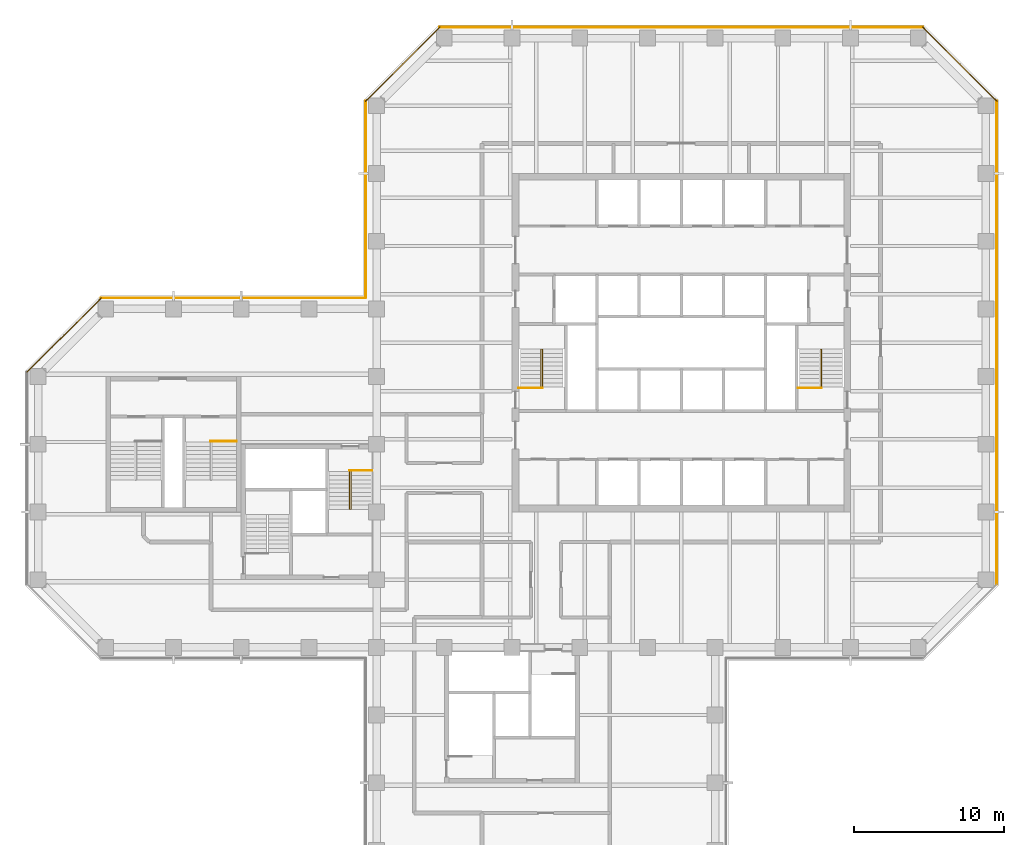
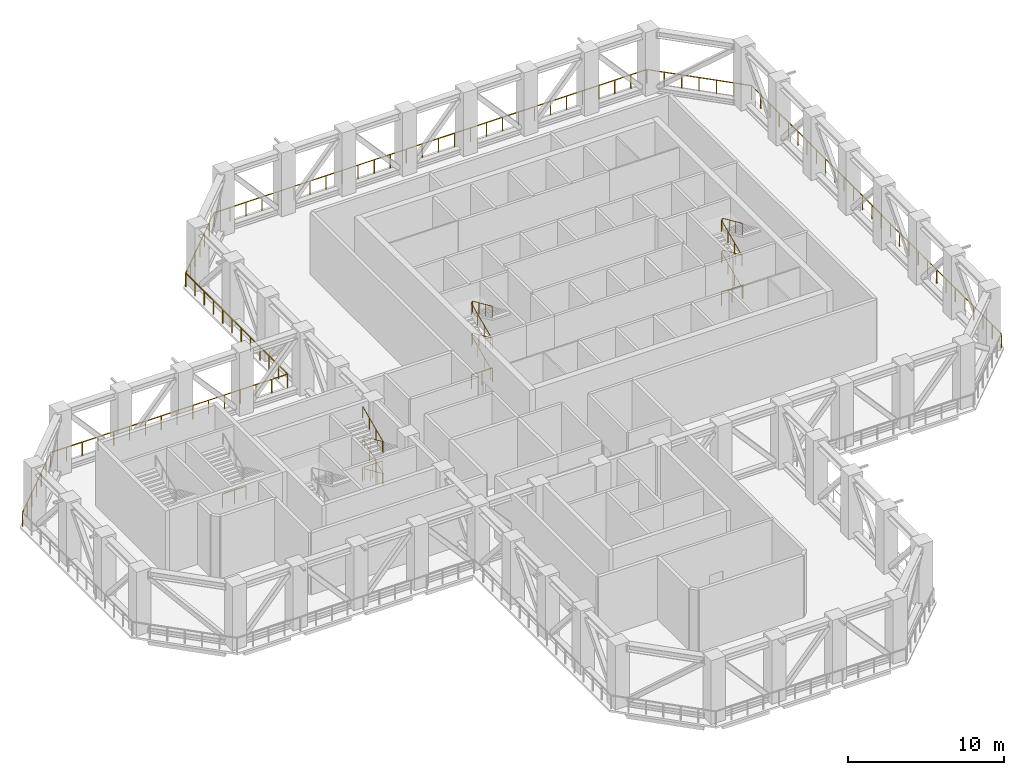
# One storey, part 14 of 14: 14 railings.
"""IFC4 building model written with IfcOpenShell, lengths in metres."""

from ifc_helpers import new_model, si_unit, direction, frame, origin, origin_2d, place, context, subcontext, project, spatial, circle, extrude, material, type_object, element, save


model = new_model("IFC4")

# Units and contexts
model_context = context("Model", 3, precision=1e-05, world=origin(), true_north=direction((0.0, 1.0)))
body_context = subcontext(model_context, "Body", "Model", "MODEL_VIEW")
ifc_project = project(units=[si_unit("LENGTHUNIT", "METRE"), si_unit("AREAUNIT", "SQUARE_METRE"), si_unit("VOLUMEUNIT", "CUBIC_METRE"), si_unit("PLANEANGLEUNIT", "RADIAN"), si_unit("MASSUNIT", "GRAM", prefix="KILO")], contexts=[model_context])

# Site, building, storey
site_placement = place(None, origin())
site = spatial("IfcSite", under=ifc_project, at=site_placement, CompositionType="ELEMENT")
building_placement = place(site_placement, origin())
building = spatial("IfcBuilding", under=site, at=building_placement, Name="Quoin Convention Tower", CompositionType="ELEMENT")
storey_placement = place(building_placement, frame((0.0, 0.0, 138.10009765625)))
storey = spatial("IfcBuildingStorey", under=building, at=storey_placement, Name="L36", CompositionType="ELEMENT", Elevation=138.10009765625)

# Railings
ifc_material = material(Name="Stainless steel", Category="steel")
railing_type_1 = type_object("IfcRailingType", Name="Guard 1100", PredefinedType="GUARDRAIL", material=ifc_material)
railing_1_placement = place(storey_placement, frame((77.22509765625, 44.69970703125, 0.0)))
element("IfcRailing", 1, at=railing_1_placement, inside=storey, type_object=railing_type_1, Name="grd-L36-76500_45000", PredefinedType="GUARDRAIL", context=body_context, shape_type="SweptSolid", body=[
    extrude(circle(Radius=0.02392578125, at=origin_2d()), frame((0.0, 0.0, 1.076171875), z_axis=(0.0, 1.0, 0.0), x_axis=(-1.0, 0.0, 0.0)), (0.0, 0.0, 1.0), 32.1005859375),
    extrude(circle(Radius=0.02099609375, at=origin_2d()), origin(), (0.0, 0.0, 1.0), 1.052001953125),
    extrude(circle(Radius=0.02099609375, at=origin_2d()), frame((0.0, 1.18896484375, 0.0)), (0.0, 0.0, 1.0), 1.052001953125),
    extrude(circle(Radius=0.02099609375, at=origin_2d()), frame((0.0, 2.3779296875, 0.0)), (0.0, 0.0, 1.0), 1.052001953125),
    extrude(circle(Radius=0.02099609375, at=origin_2d()), frame((0.0, 3.566650390625, 0.0)), (0.0, 0.0, 1.0), 1.052001953125),
    extrude(circle(Radius=0.02099609375, at=origin_2d()), frame((0.0, 4.755615234375, 0.0)), (0.0, 0.0, 1.0), 1.052001953125),
    extrude(circle(Radius=0.02099609375, at=origin_2d()), frame((0.0, 5.944580078125, 0.0)), (0.0, 0.0, 1.0), 1.052001953125),
    extrude(circle(Radius=0.02099609375, at=origin_2d()), frame((0.0, 7.133544921875, 0.0)), (0.0, 0.0, 1.0), 1.052001953125),
    extrude(circle(Radius=0.02099609375, at=origin_2d()), frame((0.0, 8.322265625, 0.0)), (0.0, 0.0, 1.0), 1.052001953125),
    extrude(circle(Radius=0.02099609375, at=origin_2d()), frame((0.0, 9.51123046875, 0.0)), (0.0, 0.0, 1.0), 1.052001953125),
    extrude(circle(Radius=0.02099609375, at=origin_2d()), frame((0.0, 10.7001953125, 0.0)), (0.0, 0.0, 1.0), 1.052001953125),
    extrude(circle(Radius=0.02099609375, at=origin_2d()), frame((0.0, 11.88916015625, 0.0)), (0.0, 0.0, 1.0), 1.052001953125),
    extrude(circle(Radius=0.02099609375, at=origin_2d()), frame((0.0, 13.078125, 0.0)), (0.0, 0.0, 1.0), 1.052001953125),
    extrude(circle(Radius=0.02099609375, at=origin_2d()), frame((0.0, 14.266845703125, 0.0)), (0.0, 0.0, 1.0), 1.052001953125),
    extrude(circle(Radius=0.02099609375, at=origin_2d()), frame((0.0, 15.455810546875, 0.0)), (0.0, 0.0, 1.0), 1.052001953125),
    extrude(circle(Radius=0.02099609375, at=origin_2d()), frame((0.0, 16.644775390625, 0.0)), (0.0, 0.0, 1.0), 1.052001953125),
    extrude(circle(Radius=0.02099609375, at=origin_2d()), frame((0.0, 17.833740234375, 0.0)), (0.0, 0.0, 1.0), 1.052001953125),
    extrude(circle(Radius=0.02099609375, at=origin_2d()), frame((0.0, 19.0224609375, 0.0)), (0.0, 0.0, 1.0), 1.052001953125),
    extrude(circle(Radius=0.02099609375, at=origin_2d()), frame((0.0, 20.21142578125, 0.0)), (0.0, 0.0, 1.0), 1.052001953125),
    extrude(circle(Radius=0.02099609375, at=origin_2d()), frame((0.0, 21.400390625, 0.0)), (0.0, 0.0, 1.0), 1.052001953125),
    extrude(circle(Radius=0.02099609375, at=origin_2d()), frame((0.0, 22.58935546875, 0.0)), (0.0, 0.0, 1.0), 1.052001953125),
    extrude(circle(Radius=0.02099609375, at=origin_2d()), frame((0.0, 23.7783203125, 0.0)), (0.0, 0.0, 1.0), 1.052001953125),
    extrude(circle(Radius=0.02099609375, at=origin_2d()), frame((0.0, 24.967041015625, 0.0)), (0.0, 0.0, 1.0), 1.052001953125),
    extrude(circle(Radius=0.02099609375, at=origin_2d()), frame((0.0, 26.156005859375, 0.0)), (0.0, 0.0, 1.0), 1.052001953125),
    extrude(circle(Radius=0.02099609375, at=origin_2d()), frame((0.0, 27.344970703125, 0.0)), (0.0, 0.0, 1.0), 1.052001953125),
    extrude(circle(Radius=0.02099609375, at=origin_2d()), frame((0.0, 28.533935546875, 0.0)), (0.0, 0.0, 1.0), 1.052001953125),
    extrude(circle(Radius=0.02099609375, at=origin_2d()), frame((0.0, 29.72265625, 0.0)), (0.0, 0.0, 1.0), 1.052001953125),
    extrude(circle(Radius=0.02099609375, at=origin_2d()), frame((0.0, 30.91162109375, 0.0)), (0.0, 0.0, 1.0), 1.052001953125),
    extrude(circle(Radius=0.02099609375, at=origin_2d()), frame((0.0, 32.1005859375, 0.0)), (0.0, 0.0, 1.0), 1.052001953125),
])
railing_2_placement = place(storey_placement, frame((77.22509765625, 76.80029296875, 0.0)))
element("IfcRailing", 2, at=railing_2_placement, inside=storey, type_object=railing_type_1, Name="grd-L36-76500_76500", PredefinedType="GUARDRAIL", context=body_context, shape_type="SweptSolid", body=[
    extrude(circle(Radius=0.02392578125, at=origin_2d()), frame((0.0, 0.0, 1.076171875), z_axis=(-0.707106781187, 0.707106781187, 0.0), x_axis=(-0.707106781187, -0.707106781187, 0.0)), (0.0, 0.0, 1.0), 6.96484375),
    extrude(circle(Radius=0.02099609375, at=origin_2d()), origin(), (0.0, 0.0, 1.0), 1.052001953125),
    extrude(circle(Radius=0.02099609375, at=origin_2d()), frame((-0.82080078125, 0.82080078125, 0.0)), (0.0, 0.0, 1.0), 1.052001953125),
    extrude(circle(Radius=0.02099609375, at=origin_2d()), frame((-1.6416015625, 1.6416015625, 0.0)), (0.0, 0.0, 1.0), 1.052001953125),
    extrude(circle(Radius=0.02099609375, at=origin_2d()), frame((-2.46240234375, 2.46240234375, 0.0)), (0.0, 0.0, 1.0), 1.052001953125),
    extrude(circle(Radius=0.02099609375, at=origin_2d()), frame((-3.283203125, 3.283203125, 0.0)), (0.0, 0.0, 1.0), 1.052001953125),
    extrude(circle(Radius=0.02099609375, at=origin_2d()), frame((-4.10400390625, 4.10400390625, 0.0)), (0.0, 0.0, 1.0), 1.052001953125),
    extrude(circle(Radius=0.02099609375, at=origin_2d()), frame((-4.9248046875, 4.9248046875, 0.0)), (0.0, 0.0, 1.0), 1.052001953125),
])
railing_3_placement = place(storey_placement, frame((72.30029296875, 81.72509765625, 0.0)))
element("IfcRailing", 3, at=railing_3_placement, inside=storey, type_object=railing_type_1, Name="grd-L36-72000_81000", PredefinedType="GUARDRAIL", context=body_context, shape_type="SweptSolid", body=[
    extrude(circle(Radius=0.02392578125, at=origin_2d()), frame((0.0, 0.0, 1.076171875), z_axis=(-1.0, 0.0, 0.0), x_axis=(0.0, -1.0, 0.0)), (0.0, 0.0, 1.0), 32.1005859375),
    extrude(circle(Radius=0.02099609375, at=origin_2d()), origin(), (0.0, 0.0, 1.0), 1.052001953125),
    extrude(circle(Radius=0.02099609375, at=origin_2d()), frame((-1.18896484375, 0.0, 0.0)), (0.0, 0.0, 1.0), 1.052001953125),
    extrude(circle(Radius=0.02099609375, at=origin_2d()), frame((-2.3779296875, 0.0, 0.0)), (0.0, 0.0, 1.0), 1.052001953125),
    extrude(circle(Radius=0.02099609375, at=origin_2d()), frame((-3.566650390625, 0.0, 0.0)), (0.0, 0.0, 1.0), 1.052001953125),
    extrude(circle(Radius=0.02099609375, at=origin_2d()), frame((-4.755615234375, 0.0, 0.0)), (0.0, 0.0, 1.0), 1.052001953125),
    extrude(circle(Radius=0.02099609375, at=origin_2d()), frame((-5.944580078125, 0.0, 0.0)), (0.0, 0.0, 1.0), 1.052001953125),
    extrude(circle(Radius=0.02099609375, at=origin_2d()), frame((-7.133544921875, 0.0, 0.0)), (0.0, 0.0, 1.0), 1.052001953125),
    extrude(circle(Radius=0.02099609375, at=origin_2d()), frame((-8.322265625, 0.0, 0.0)), (0.0, 0.0, 1.0), 1.052001953125),
    extrude(circle(Radius=0.02099609375, at=origin_2d()), frame((-9.51123046875, 0.0, 0.0)), (0.0, 0.0, 1.0), 1.052001953125),
    extrude(circle(Radius=0.02099609375, at=origin_2d()), frame((-10.7001953125, 0.0, 0.0)), (0.0, 0.0, 1.0), 1.052001953125),
    extrude(circle(Radius=0.02099609375, at=origin_2d()), frame((-11.88916015625, 0.0, 0.0)), (0.0, 0.0, 1.0), 1.052001953125),
    extrude(circle(Radius=0.02099609375, at=origin_2d()), frame((-13.078125, 0.0, 0.0)), (0.0, 0.0, 1.0), 1.052001953125),
    extrude(circle(Radius=0.02099609375, at=origin_2d()), frame((-14.266845703125, 0.0, 0.0)), (0.0, 0.0, 1.0), 1.052001953125),
    extrude(circle(Radius=0.02099609375, at=origin_2d()), frame((-15.455810546875, 0.0, 0.0)), (0.0, 0.0, 1.0), 1.052001953125),
    extrude(circle(Radius=0.02099609375, at=origin_2d()), frame((-16.644775390625, 0.0, 0.0)), (0.0, 0.0, 1.0), 1.052001953125),
    extrude(circle(Radius=0.02099609375, at=origin_2d()), frame((-17.833740234375, 0.0, 0.0)), (0.0, 0.0, 1.0), 1.052001953125),
    extrude(circle(Radius=0.02099609375, at=origin_2d()), frame((-19.0224609375, 0.0, 0.0)), (0.0, 0.0, 1.0), 1.052001953125),
    extrude(circle(Radius=0.02099609375, at=origin_2d()), frame((-20.21142578125, 0.0, 0.0)), (0.0, 0.0, 1.0), 1.052001953125),
    extrude(circle(Radius=0.02099609375, at=origin_2d()), frame((-21.400390625, 0.0, 0.0)), (0.0, 0.0, 1.0), 1.052001953125),
    extrude(circle(Radius=0.02099609375, at=origin_2d()), frame((-22.58935546875, 0.0, 0.0)), (0.0, 0.0, 1.0), 1.052001953125),
    extrude(circle(Radius=0.02099609375, at=origin_2d()), frame((-23.7783203125, 0.0, 0.0)), (0.0, 0.0, 1.0), 1.052001953125),
    extrude(circle(Radius=0.02099609375, at=origin_2d()), frame((-24.967041015625, 0.0, 0.0)), (0.0, 0.0, 1.0), 1.052001953125),
    extrude(circle(Radius=0.02099609375, at=origin_2d()), frame((-26.156005859375, 0.0, 0.0)), (0.0, 0.0, 1.0), 1.052001953125),
    extrude(circle(Radius=0.02099609375, at=origin_2d()), frame((-27.344970703125, 0.0, 0.0)), (0.0, 0.0, 1.0), 1.052001953125),
    extrude(circle(Radius=0.02099609375, at=origin_2d()), frame((-28.533935546875, 0.0, 0.0)), (0.0, 0.0, 1.0), 1.052001953125),
    extrude(circle(Radius=0.02099609375, at=origin_2d()), frame((-29.72265625, 0.0, 0.0)), (0.0, 0.0, 1.0), 1.052001953125),
    extrude(circle(Radius=0.02099609375, at=origin_2d()), frame((-30.91162109375, 0.0, 0.0)), (0.0, 0.0, 1.0), 1.052001953125),
    extrude(circle(Radius=0.02099609375, at=origin_2d()), frame((-32.1005859375, 0.0, 0.0)), (0.0, 0.0, 1.0), 1.052001953125),
])
railing_4_placement = place(storey_placement, frame((40.19970703125, 81.72509765625, 0.0)))
element("IfcRailing", 4, at=railing_4_placement, inside=storey, type_object=railing_type_1, Name="grd-L36-40500_81000", PredefinedType="GUARDRAIL", context=body_context, shape_type="SweptSolid", body=[
    extrude(circle(Radius=0.02392578125, at=origin_2d()), frame((0.0, 0.0, 1.076171875), z_axis=(-0.707106781187, -0.707106781187, 0.0), x_axis=(0.707106781187, -0.707106781187, 0.0)), (0.0, 0.0, 1.0), 6.96484375),
    extrude(circle(Radius=0.02099609375, at=origin_2d()), origin(), (0.0, 0.0, 1.0), 1.052001953125),
    extrude(circle(Radius=0.02099609375, at=origin_2d()), frame((-0.82080078125, -0.82080078125, 0.0)), (0.0, 0.0, 1.0), 1.052001953125),
    extrude(circle(Radius=0.02099609375, at=origin_2d()), frame((-1.6416015625, -1.6416015625, 0.0)), (0.0, 0.0, 1.0), 1.052001953125),
    extrude(circle(Radius=0.02099609375, at=origin_2d()), frame((-2.46240234375, -2.46240234375, 0.0)), (0.0, 0.0, 1.0), 1.052001953125),
    extrude(circle(Radius=0.02099609375, at=origin_2d()), frame((-3.283203125, -3.283203125, 0.0)), (0.0, 0.0, 1.0), 1.052001953125),
    extrude(circle(Radius=0.02099609375, at=origin_2d()), frame((-4.10400390625, -4.10400390625, 0.0)), (0.0, 0.0, 1.0), 1.052001953125),
    extrude(circle(Radius=0.02099609375, at=origin_2d()), frame((-4.9248046875, -4.9248046875, 0.0)), (0.0, 0.0, 1.0), 1.052001953125),
])
railing_5_placement = place(storey_placement, frame((35.27490234375, 76.80029296875, 0.0)))
element("IfcRailing", 5, at=railing_5_placement, inside=storey, type_object=railing_type_1, Name="grd-L36-36000_76500", PredefinedType="GUARDRAIL", context=body_context, shape_type="SweptSolid", body=[
    extrude(circle(Radius=0.02392578125, at=origin_2d()), frame((0.0, 0.0, 1.076171875), z_axis=(0.0, -1.0, 0.0), x_axis=(1.0, 0.0, 0.0)), (0.0, 0.0, 1.0), 13.0751953125),
    extrude(circle(Radius=0.02099609375, at=origin_2d()), origin(), (0.0, 0.0, 1.0), 1.052001953125),
    extrude(circle(Radius=0.02099609375, at=origin_2d()), frame((0.0, -1.188720703125, 0.0)), (0.0, 0.0, 1.0), 1.052001953125),
    extrude(circle(Radius=0.02099609375, at=origin_2d()), frame((0.0, -2.377197265625, 0.0)), (0.0, 0.0, 1.0), 1.052001953125),
    extrude(circle(Radius=0.02099609375, at=origin_2d()), frame((0.0, -3.56591796875, 0.0)), (0.0, 0.0, 1.0), 1.052001953125),
    extrude(circle(Radius=0.02099609375, at=origin_2d()), frame((0.0, -4.754638671875, 0.0)), (0.0, 0.0, 1.0), 1.052001953125),
    extrude(circle(Radius=0.02099609375, at=origin_2d()), frame((0.0, -5.943359375, 0.0)), (0.0, 0.0, 1.0), 1.052001953125),
    extrude(circle(Radius=0.02099609375, at=origin_2d()), frame((0.0, -7.1318359375, 0.0)), (0.0, 0.0, 1.0), 1.052001953125),
    extrude(circle(Radius=0.02099609375, at=origin_2d()), frame((0.0, -8.320556640625, 0.0)), (0.0, 0.0, 1.0), 1.052001953125),
    extrude(circle(Radius=0.02099609375, at=origin_2d()), frame((0.0, -9.50927734375, 0.0)), (0.0, 0.0, 1.0), 1.052001953125),
    extrude(circle(Radius=0.02099609375, at=origin_2d()), frame((0.0, -10.697998046875, 0.0)), (0.0, 0.0, 1.0), 1.052001953125),
    extrude(circle(Radius=0.02099609375, at=origin_2d()), frame((0.0, -11.886474609375, 0.0)), (0.0, 0.0, 1.0), 1.052001953125),
    extrude(circle(Radius=0.02099609375, at=origin_2d()), frame((0.0, -13.0751953125, 0.0)), (0.0, 0.0, 1.0), 1.052001953125),
])
railing_6_placement = place(storey_placement, frame((35.27490234375, 63.72509765625, 0.0)))
element("IfcRailing", 6, at=railing_6_placement, inside=storey, type_object=railing_type_1, Name="grd-L36-36000_63000", PredefinedType="GUARDRAIL", context=body_context, shape_type="SweptSolid", body=[
    extrude(circle(Radius=0.02392578125, at=origin_2d()), frame((0.0, 0.0, 1.076171875), z_axis=(-1.0, 0.0, 0.0), x_axis=(0.0, -1.0, 0.0)), (0.0, 0.0, 1.0), 17.5751953125),
    extrude(circle(Radius=0.02099609375, at=origin_2d()), origin(), (0.0, 0.0, 1.0), 1.052001953125),
    extrude(circle(Radius=0.02099609375, at=origin_2d()), frame((-1.171630859375, 0.0, 0.0)), (0.0, 0.0, 1.0), 1.052001953125),
    extrude(circle(Radius=0.02099609375, at=origin_2d()), frame((-2.34326171875, 0.0, 0.0)), (0.0, 0.0, 1.0), 1.052001953125),
    extrude(circle(Radius=0.02099609375, at=origin_2d()), frame((-3.51513671875, 0.0, 0.0)), (0.0, 0.0, 1.0), 1.052001953125),
    extrude(circle(Radius=0.02099609375, at=origin_2d()), frame((-4.686767578125, 0.0, 0.0)), (0.0, 0.0, 1.0), 1.052001953125),
    extrude(circle(Radius=0.02099609375, at=origin_2d()), frame((-5.8583984375, 0.0, 0.0)), (0.0, 0.0, 1.0), 1.052001953125),
    extrude(circle(Radius=0.02099609375, at=origin_2d()), frame((-7.030029296875, 0.0, 0.0)), (0.0, 0.0, 1.0), 1.052001953125),
    extrude(circle(Radius=0.02099609375, at=origin_2d()), frame((-8.20166015625, 0.0, 0.0)), (0.0, 0.0, 1.0), 1.052001953125),
    extrude(circle(Radius=0.02099609375, at=origin_2d()), frame((-9.37353515625, 0.0, 0.0)), (0.0, 0.0, 1.0), 1.052001953125),
    extrude(circle(Radius=0.02099609375, at=origin_2d()), frame((-10.545166015625, 0.0, 0.0)), (0.0, 0.0, 1.0), 1.052001953125),
    extrude(circle(Radius=0.02099609375, at=origin_2d()), frame((-11.716796875, 0.0, 0.0)), (0.0, 0.0, 1.0), 1.052001953125),
    extrude(circle(Radius=0.02099609375, at=origin_2d()), frame((-12.888427734375, 0.0, 0.0)), (0.0, 0.0, 1.0), 1.052001953125),
    extrude(circle(Radius=0.02099609375, at=origin_2d()), frame((-14.06005859375, 0.0, 0.0)), (0.0, 0.0, 1.0), 1.052001953125),
    extrude(circle(Radius=0.02099609375, at=origin_2d()), frame((-15.23193359375, 0.0, 0.0)), (0.0, 0.0, 1.0), 1.052001953125),
    extrude(circle(Radius=0.02099609375, at=origin_2d()), frame((-16.403564453125, 0.0, 0.0)), (0.0, 0.0, 1.0), 1.052001953125),
    extrude(circle(Radius=0.02099609375, at=origin_2d()), frame((-17.5751953125, 0.0, 0.0)), (0.0, 0.0, 1.0), 1.052001953125),
])
railing_7_placement = place(storey_placement, frame((17.69970703125, 63.72509765625, 0.0)))
element("IfcRailing", 7, at=railing_7_placement, inside=storey, type_object=railing_type_1, Name="grd-L36-18000_63000", PredefinedType="GUARDRAIL", context=body_context, shape_type="SweptSolid", body=[
    extrude(circle(Radius=0.02392578125, at=origin_2d()), frame((0.0, 0.0, 1.076171875), z_axis=(-0.707106781187, -0.707106781187, 0.0), x_axis=(0.707106781187, -0.707106781187, 0.0)), (0.0, 0.0, 1.0), 6.96484375),
    extrude(circle(Radius=0.02099609375, at=origin_2d()), origin(), (0.0, 0.0, 1.0), 1.052001953125),
    extrude(circle(Radius=0.02099609375, at=origin_2d()), frame((-0.82080078125, -0.82080078125, 0.0)), (0.0, 0.0, 1.0), 1.052001953125),
    extrude(circle(Radius=0.02099609375, at=origin_2d()), frame((-1.6416015625, -1.6416015625, 0.0)), (0.0, 0.0, 1.0), 1.052001953125),
    extrude(circle(Radius=0.02099609375, at=origin_2d()), frame((-2.46240234375, -2.46240234375, 0.0)), (0.0, 0.0, 1.0), 1.052001953125),
    extrude(circle(Radius=0.02099609375, at=origin_2d()), frame((-3.283203125, -3.283203125, 0.0)), (0.0, 0.0, 1.0), 1.052001953125),
    extrude(circle(Radius=0.02099609375, at=origin_2d()), frame((-4.10400390625, -4.10400390625, 0.0)), (0.0, 0.0, 1.0), 1.052001953125),
    extrude(circle(Radius=0.02099609375, at=origin_2d()), frame((-4.9248046875, -4.9248046875, 0.0)), (0.0, 0.0, 1.0), 1.052001953125),
])
railing_type_2 = type_object("IfcRailingType", Name="Stair handrail 900", PredefinedType="HANDRAIL", material=ifc_material)
railing_8_placement = place(storey_placement, frame((46.929931640625, 57.800048828125, 0.125)))
element("IfcRailing", 8, at=railing_8_placement, inside=storey, type_object=railing_type_2, Name="SD1 handrail 1", PredefinedType="HANDRAIL", context=body_context, shape_type="SweptSolid", body=[
    extrude(circle(Radius=0.02392578125, at=origin_2d()), frame((0.0, 0.0, 0.8759765625), z_axis=(0.0, 0.913139058521, 0.407648205936), x_axis=(-1.0, 0.0, 0.0)), (0.0, 0.0, 1.0), 2.759765625),
    extrude(circle(Radius=0.02392578125, at=origin_2d()), frame((0.0, 2.52001953125, 2.0009765625), z_axis=(0.584680334893, 0.0, 0.811263770909), x_axis=(0.0, 1.0, 0.0)), (0.0, 0.0, 1.0), 0.154052734375),
    extrude(circle(Radius=0.02392578125, at=origin_2d()), frame((0.090087890625, 2.52001953125, 2.1259765625), z_axis=(0.0, -0.913139058521, 0.407648205936), x_axis=(1.0, 0.0, 0.0)), (0.0, 0.0, 1.0), 2.759765625),
    extrude(circle(Radius=0.02392578125, at=origin_2d()), frame((0.090087890625, 0.0, 3.2509765625), z_axis=(-0.584680334893, 0.0, 0.811263770909), x_axis=(0.0, -1.0, 0.0)), (0.0, 0.0, 1.0), 0.154052734375),
    extrude(circle(Radius=0.02392578125, at=origin_2d()), frame((0.0, 0.0, 3.3759765625), z_axis=(0.0, 0.913139058521, 0.407648205936), x_axis=(-1.0, 0.0, 0.0)), (0.0, 0.0, 1.0), 2.759765625),
    extrude(circle(Radius=0.02392578125, at=origin_2d()), frame((0.0, 2.52001953125, 4.5009765625), z_axis=(0.584680334893, 0.0, 0.811263770909), x_axis=(0.0, 1.0, 0.0)), (0.0, 0.0, 1.0), 0.154052734375),
    extrude(circle(Radius=0.02392578125, at=origin_2d()), frame((0.090087890625, 2.52001953125, 4.6259765625), z_axis=(0.0, -0.913139058521, 0.407648205936), x_axis=(1.0, 0.0, 0.0)), (0.0, 0.0, 1.0), 2.759765625),
    extrude(circle(Radius=0.02099609375, at=origin_2d()), origin(), (0.0, 0.0, 1.0), 0.851806640625),
    extrude(circle(Radius=0.02099609375, at=origin_2d()), frame((0.0, 0.840087890625, 0.375)), (0.0, 0.0, 1.0), 0.851806640625),
    extrude(circle(Radius=0.02099609375, at=origin_2d()), frame((0.0, 1.679931640625, 0.75)), (0.0, 0.0, 1.0), 0.851806640625),
    extrude(circle(Radius=0.02099609375, at=origin_2d()), frame((0.0, 2.52001953125, 1.125)), (0.0, 0.0, 1.0), 0.851806640625),
    extrude(circle(Radius=0.02099609375, at=origin_2d()), frame((0.090087890625, 2.52001953125, 1.25)), (0.0, 0.0, 1.0), 0.851806640625),
    extrude(circle(Radius=0.02099609375, at=origin_2d()), frame((0.090087890625, 1.679931640625, 1.625)), (0.0, 0.0, 1.0), 0.851806640625),
    extrude(circle(Radius=0.02099609375, at=origin_2d()), frame((0.090087890625, 0.840087890625, 2.0)), (0.0, 0.0, 1.0), 0.851806640625),
    extrude(circle(Radius=0.02099609375, at=origin_2d()), frame((0.090087890625, 0.0, 2.375)), (0.0, 0.0, 1.0), 0.851806640625),
    extrude(circle(Radius=0.02099609375, at=origin_2d()), frame((0.0, 0.0, 2.5)), (0.0, 0.0, 1.0), 0.851806640625),
    extrude(circle(Radius=0.02099609375, at=origin_2d()), frame((0.0, 0.840087890625, 2.875)), (0.0, 0.0, 1.0), 0.851806640625),
    extrude(circle(Radius=0.02099609375, at=origin_2d()), frame((0.0, 1.679931640625, 3.25)), (0.0, 0.0, 1.0), 0.851806640625),
    extrude(circle(Radius=0.02099609375, at=origin_2d()), frame((0.0, 2.52001953125, 3.625)), (0.0, 0.0, 1.0), 0.851806640625),
    extrude(circle(Radius=0.02099609375, at=origin_2d()), frame((0.090087890625, 2.52001953125, 3.75)), (0.0, 0.0, 1.0), 0.851806640625),
    extrude(circle(Radius=0.02099609375, at=origin_2d()), frame((0.090087890625, 1.679931640625, 4.125)), (0.0, 0.0, 1.0), 0.851806640625),
    extrude(circle(Radius=0.02099609375, at=origin_2d()), frame((0.090087890625, 0.840087890625, 4.5)), (0.0, 0.0, 1.0), 0.851806640625),
    extrude(circle(Radius=0.02099609375, at=origin_2d()), frame((0.090087890625, 0.0, 4.875)), (0.0, 0.0, 1.0), 0.851806640625),
])
railing_9_placement = place(storey_placement, frame((65.47998046875, 57.800048828125, 0.125)))
element("IfcRailing", 9, at=railing_9_placement, inside=storey, type_object=railing_type_2, Name="SD2 handrail 1", PredefinedType="HANDRAIL", context=body_context, shape_type="SweptSolid", body=[
    extrude(circle(Radius=0.02392578125, at=origin_2d()), frame((0.0, 0.0, 0.8759765625), z_axis=(0.0, 0.913139058521, 0.407648205936), x_axis=(-1.0, 0.0, 0.0)), (0.0, 0.0, 1.0), 2.759765625),
    extrude(circle(Radius=0.02392578125, at=origin_2d()), frame((0.0, 2.52001953125, 2.0009765625), z_axis=(0.584680334893, 0.0, 0.811263770909), x_axis=(0.0, 1.0, 0.0)), (0.0, 0.0, 1.0), 0.154052734375),
    extrude(circle(Radius=0.02392578125, at=origin_2d()), frame((0.090087890625, 2.52001953125, 2.1259765625), z_axis=(0.0, -0.913139058521, 0.407648205936), x_axis=(1.0, 0.0, 0.0)), (0.0, 0.0, 1.0), 2.759765625),
    extrude(circle(Radius=0.02392578125, at=origin_2d()), frame((0.090087890625, 0.0, 3.2509765625), z_axis=(-0.584680334893, 0.0, 0.811263770909), x_axis=(0.0, -1.0, 0.0)), (0.0, 0.0, 1.0), 0.154052734375),
    extrude(circle(Radius=0.02392578125, at=origin_2d()), frame((0.0, 0.0, 3.3759765625), z_axis=(0.0, 0.913139058521, 0.407648205936), x_axis=(-1.0, 0.0, 0.0)), (0.0, 0.0, 1.0), 2.759765625),
    extrude(circle(Radius=0.02392578125, at=origin_2d()), frame((0.0, 2.52001953125, 4.5009765625), z_axis=(0.584680334893, 0.0, 0.811263770909), x_axis=(0.0, 1.0, 0.0)), (0.0, 0.0, 1.0), 0.154052734375),
    extrude(circle(Radius=0.02392578125, at=origin_2d()), frame((0.090087890625, 2.52001953125, 4.6259765625), z_axis=(0.0, -0.913139058521, 0.407648205936), x_axis=(1.0, 0.0, 0.0)), (0.0, 0.0, 1.0), 2.759765625),
    extrude(circle(Radius=0.02099609375, at=origin_2d()), origin(), (0.0, 0.0, 1.0), 0.851806640625),
    extrude(circle(Radius=0.02099609375, at=origin_2d()), frame((0.0, 0.840087890625, 0.375)), (0.0, 0.0, 1.0), 0.851806640625),
    extrude(circle(Radius=0.02099609375, at=origin_2d()), frame((0.0, 1.679931640625, 0.75)), (0.0, 0.0, 1.0), 0.851806640625),
    extrude(circle(Radius=0.02099609375, at=origin_2d()), frame((0.0, 2.52001953125, 1.125)), (0.0, 0.0, 1.0), 0.851806640625),
    extrude(circle(Radius=0.02099609375, at=origin_2d()), frame((0.090087890625, 2.52001953125, 1.25)), (0.0, 0.0, 1.0), 0.851806640625),
    extrude(circle(Radius=0.02099609375, at=origin_2d()), frame((0.090087890625, 1.679931640625, 1.625)), (0.0, 0.0, 1.0), 0.851806640625),
    extrude(circle(Radius=0.02099609375, at=origin_2d()), frame((0.090087890625, 0.840087890625, 2.0)), (0.0, 0.0, 1.0), 0.851806640625),
    extrude(circle(Radius=0.02099609375, at=origin_2d()), frame((0.090087890625, 0.0, 2.375)), (0.0, 0.0, 1.0), 0.851806640625),
    extrude(circle(Radius=0.02099609375, at=origin_2d()), frame((0.0, 0.0, 2.5)), (0.0, 0.0, 1.0), 0.851806640625),
    extrude(circle(Radius=0.02099609375, at=origin_2d()), frame((0.0, 0.840087890625, 2.875)), (0.0, 0.0, 1.0), 0.851806640625),
    extrude(circle(Radius=0.02099609375, at=origin_2d()), frame((0.0, 1.679931640625, 3.25)), (0.0, 0.0, 1.0), 0.851806640625),
    extrude(circle(Radius=0.02099609375, at=origin_2d()), frame((0.0, 2.52001953125, 3.625)), (0.0, 0.0, 1.0), 0.851806640625),
    extrude(circle(Radius=0.02099609375, at=origin_2d()), frame((0.090087890625, 2.52001953125, 3.75)), (0.0, 0.0, 1.0), 0.851806640625),
    extrude(circle(Radius=0.02099609375, at=origin_2d()), frame((0.090087890625, 1.679931640625, 4.125)), (0.0, 0.0, 1.0), 0.851806640625),
    extrude(circle(Radius=0.02099609375, at=origin_2d()), frame((0.090087890625, 0.840087890625, 4.5)), (0.0, 0.0, 1.0), 0.851806640625),
    extrude(circle(Radius=0.02099609375, at=origin_2d()), frame((0.090087890625, 0.0, 4.875)), (0.0, 0.0, 1.0), 0.851806640625),
])
railing_10_placement = place(storey_placement, frame((34.294921875, 52.199951171875, 0.125)))
element("IfcRailing", 10, at=railing_10_placement, inside=storey, type_object=railing_type_2, Name="SD4 handrail 1", PredefinedType="HANDRAIL", context=body_context, shape_type="SweptSolid", body=[
    extrude(circle(Radius=0.02392578125, at=origin_2d()), frame((0.0, 0.0, 0.8759765625), z_axis=(0.0, -0.913139058521, 0.407648205936), x_axis=(1.0, 0.0, 0.0)), (0.0, 0.0, 1.0), 2.759765625),
    extrude(circle(Radius=0.02392578125, at=origin_2d()), frame((0.0, -2.52001953125, 2.0009765625), z_axis=(-0.583636048153, 0.0, 0.812015371343), x_axis=(0.0, -1.0, 0.0)), (0.0, 0.0, 1.0), 0.154052734375),
    extrude(circle(Radius=0.02392578125, at=origin_2d()), frame((-0.08984375, -2.52001953125, 2.1259765625), z_axis=(0.0, 0.913139058521, 0.407648205936), x_axis=(-1.0, 0.0, 0.0)), (0.0, 0.0, 1.0), 2.759765625),
    extrude(circle(Radius=0.02392578125, at=origin_2d()), frame((-0.08984375, 0.0, 3.2509765625), z_axis=(0.583636048153, 0.0, 0.812015371343), x_axis=(0.0, 1.0, 0.0)), (0.0, 0.0, 1.0), 0.154052734375),
    extrude(circle(Radius=0.02392578125, at=origin_2d()), frame((0.0, 0.0, 3.3759765625), z_axis=(0.0, -0.913139058521, 0.407648205936), x_axis=(1.0, 0.0, 0.0)), (0.0, 0.0, 1.0), 2.759765625),
    extrude(circle(Radius=0.02392578125, at=origin_2d()), frame((0.0, -2.52001953125, 4.5009765625), z_axis=(-0.583636048153, 0.0, 0.812015371343), x_axis=(0.0, -1.0, 0.0)), (0.0, 0.0, 1.0), 0.154052734375),
    extrude(circle(Radius=0.02392578125, at=origin_2d()), frame((-0.08984375, -2.52001953125, 4.6259765625), z_axis=(0.0, 0.913139058521, 0.407648205936), x_axis=(-1.0, 0.0, 0.0)), (0.0, 0.0, 1.0), 2.759765625),
    extrude(circle(Radius=0.02099609375, at=origin_2d()), origin(), (0.0, 0.0, 1.0), 0.851806640625),
    extrude(circle(Radius=0.02099609375, at=origin_2d()), frame((0.0, -0.840087890625, 0.375)), (0.0, 0.0, 1.0), 0.851806640625),
    extrude(circle(Radius=0.02099609375, at=origin_2d()), frame((0.0, -1.679931640625, 0.75)), (0.0, 0.0, 1.0), 0.851806640625),
    extrude(circle(Radius=0.02099609375, at=origin_2d()), frame((0.0, -2.52001953125, 1.125)), (0.0, 0.0, 1.0), 0.851806640625),
    extrude(circle(Radius=0.02099609375, at=origin_2d()), frame((-0.08984375, -2.52001953125, 1.25)), (0.0, 0.0, 1.0), 0.851806640625),
    extrude(circle(Radius=0.02099609375, at=origin_2d()), frame((-0.08984375, -1.679931640625, 1.625)), (0.0, 0.0, 1.0), 0.851806640625),
    extrude(circle(Radius=0.02099609375, at=origin_2d()), frame((-0.08984375, -0.840087890625, 2.0)), (0.0, 0.0, 1.0), 0.851806640625),
    extrude(circle(Radius=0.02099609375, at=origin_2d()), frame((-0.08984375, 0.0, 2.375)), (0.0, 0.0, 1.0), 0.851806640625),
    extrude(circle(Radius=0.02099609375, at=origin_2d()), frame((0.0, 0.0, 2.5)), (0.0, 0.0, 1.0), 0.851806640625),
    extrude(circle(Radius=0.02099609375, at=origin_2d()), frame((0.0, -0.840087890625, 2.875)), (0.0, 0.0, 1.0), 0.851806640625),
    extrude(circle(Radius=0.02099609375, at=origin_2d()), frame((0.0, -1.679931640625, 3.25)), (0.0, 0.0, 1.0), 0.851806640625),
    extrude(circle(Radius=0.02099609375, at=origin_2d()), frame((0.0, -2.52001953125, 3.625)), (0.0, 0.0, 1.0), 0.851806640625),
    extrude(circle(Radius=0.02099609375, at=origin_2d()), frame((-0.08984375, -2.52001953125, 3.75)), (0.0, 0.0, 1.0), 0.851806640625),
    extrude(circle(Radius=0.02099609375, at=origin_2d()), frame((-0.08984375, -1.679931640625, 4.125)), (0.0, 0.0, 1.0), 0.851806640625),
    extrude(circle(Radius=0.02099609375, at=origin_2d()), frame((-0.08984375, -0.840087890625, 4.5)), (0.0, 0.0, 1.0), 0.851806640625),
    extrude(circle(Radius=0.02099609375, at=origin_2d()), frame((-0.08984375, 0.0, 4.875)), (0.0, 0.0, 1.0), 0.851806640625),
])
railing_type_3 = type_object("IfcRailingType", Name="Stair top guard 1100", PredefinedType="GUARDRAIL", material=ifc_material)
for number, where, name in (
    (11, (45.449951171875, 57.75, 0.0), "SD1 top guard"),
    (12, (64.0, 57.75, 0.0), "SD2 top guard"),
):
    element("IfcRailing", number, at=place(storey_placement, frame(where)), inside=storey, type_object=railing_type_3, Name=name, PredefinedType="GUARDRAIL", context=body_context, shape_type="SweptSolid", body=[
        extrude(circle(Radius=0.02392578125, at=origin_2d()), frame((0.0, 0.0, 1.076171875), z_axis=(1.0, 0.0, 0.0), x_axis=(0.0, 1.0, 0.0)), (0.0, 0.0, 1.0), 1.570068359375),
        extrude(circle(Radius=0.02099609375, at=origin_2d()), origin(), (0.0, 0.0, 1.0), 1.052001953125),
        extrude(circle(Radius=0.02099609375, at=origin_2d()), frame((0.78515625, 0.0, 0.0)), (0.0, 0.0, 1.0), 1.052001953125),
        extrude(circle(Radius=0.02099609375, at=origin_2d()), frame((1.570068359375, 0.0, 0.0)), (0.0, 0.0, 1.0), 1.052001953125),
    ])
railing_11_placement = place(storey_placement, frame((35.699951171875, 52.25, 0.0)))
element("IfcRailing", 13, at=railing_11_placement, inside=storey, type_object=railing_type_3, Name="SD4 top guard", PredefinedType="GUARDRAIL", context=body_context, shape_type="SweptSolid", body=[
    extrude(circle(Radius=0.02392578125, at=origin_2d()), frame((0.0, 0.0, 1.076171875), z_axis=(-1.0, 0.0, 0.0), x_axis=(0.0, -1.0, 0.0)), (0.0, 0.0, 1.0), 1.494873046875),
    extrude(circle(Radius=0.02099609375, at=origin_2d()), origin(), (0.0, 0.0, 1.0), 1.052001953125),
    extrude(circle(Radius=0.02099609375, at=origin_2d()), frame((-0.74755859375, 0.0, 0.0)), (0.0, 0.0, 1.0), 1.052001953125),
    extrude(circle(Radius=0.02099609375, at=origin_2d()), frame((-1.494873046875, 0.0, 0.0)), (0.0, 0.0, 1.0), 1.052001953125),
])
railing_12_placement = place(storey_placement, frame((26.699951171875, 54.199951171875, 0.0)))
element("IfcRailing", 14, at=railing_12_placement, inside=storey, type_object=railing_type_3, Name="SD12 top guard", PredefinedType="GUARDRAIL", context=body_context, shape_type="SweptSolid", body=[
    extrude(circle(Radius=0.02392578125, at=origin_2d()), frame((0.0, 0.0, 1.076171875), z_axis=(-1.0, 0.0, 0.0), x_axis=(0.0, -1.0, 0.0)), (0.0, 0.0, 1.0), 1.744873046875),
    extrude(circle(Radius=0.02099609375, at=origin_2d()), origin(), (0.0, 0.0, 1.0), 1.052001953125),
    extrude(circle(Radius=0.02099609375, at=origin_2d()), frame((-0.87255859375, 0.0, 0.0)), (0.0, 0.0, 1.0), 1.052001953125),
    extrude(circle(Radius=0.02099609375, at=origin_2d()), frame((-1.744873046875, 0.0, 0.0)), (0.0, 0.0, 1.0), 1.052001953125),
])

save(model, "model.ifc")
